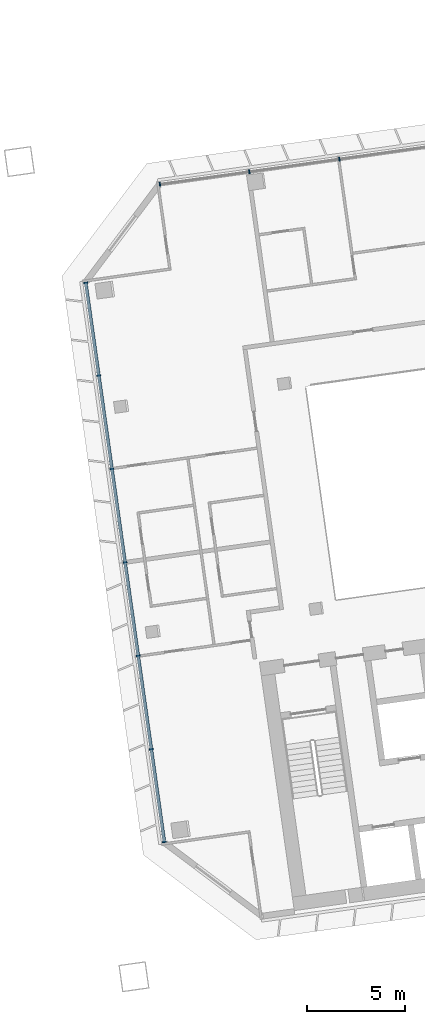
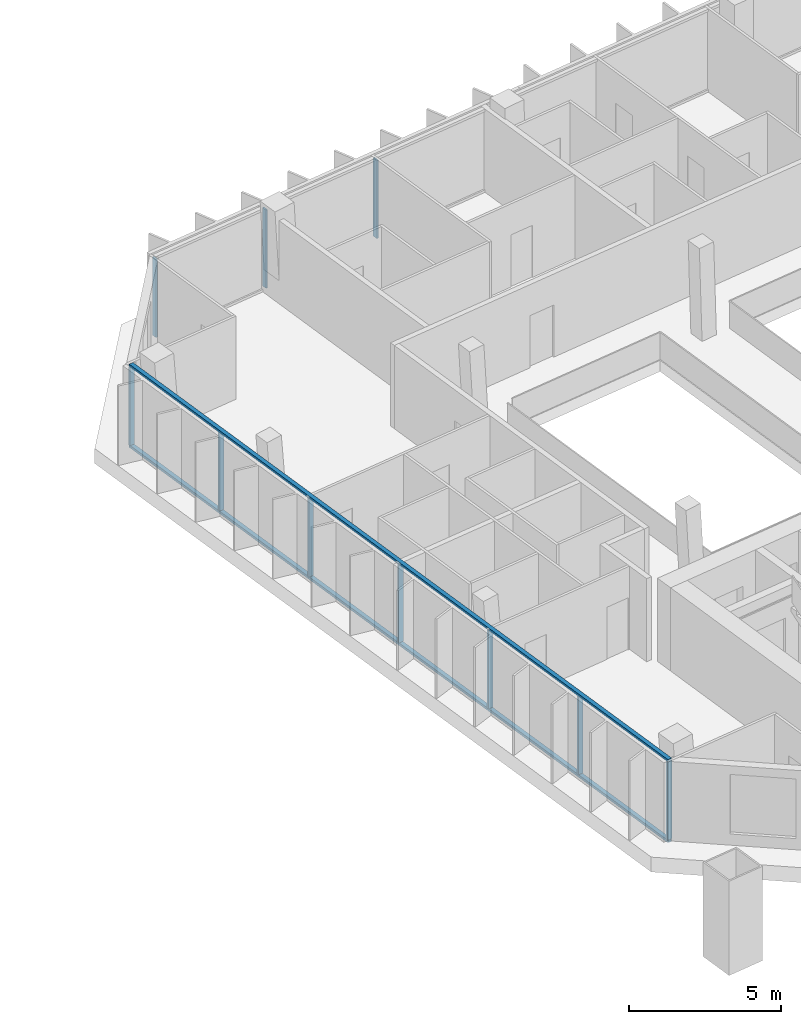
# One storey, part 7 of 23: 12 members, 2 elements without a shape of their own.
"""IFC4 building model written with IfcOpenShell, lengths in metres."""

from ifc_helpers import new_model, si_unit, direction, frame, origin, origin_2d, place, context, subcontext, project, spatial, rectangle, extrude, material, material_profile, profile_set, type_object, element, aggregate, save


model = new_model("IFC4")

# Units and contexts
model_context = context("Model", 3, precision=1e-05, world=origin(), true_north=direction((0.0, 1.0)))
body_context = subcontext(model_context, "Body", "Model", "MODEL_VIEW")
ifc_project = project(units=[si_unit("LENGTHUNIT", "METRE"), si_unit("AREAUNIT", "SQUARE_METRE"), si_unit("VOLUMEUNIT", "CUBIC_METRE"), si_unit("PLANEANGLEUNIT", "RADIAN"), si_unit("MASSUNIT", "GRAM", prefix="KILO")], contexts=[model_context])

# Site, building, storey
site_placement = place(None, origin())
site = spatial("IfcSite", under=ifc_project, at=site_placement, CompositionType="ELEMENT")
building_placement = place(site_placement, origin())
building = spatial("IfcBuilding", under=site, at=building_placement, Name="Mirante Cascada Hotel Towers", CompositionType="ELEMENT")
storey_placement = place(building_placement, frame((0.0, 0.0, 187.8)))
storey = spatial("IfcBuildingStorey", under=building, at=storey_placement, Name="L44", CompositionType="ELEMENT", Elevation=187.8)

# Curtain wall, members
ifc_material_1 = material(Name="Aluminium mullion and transom frame with clear laminated glass", Category="aluminium")
curtain_wall_type_1 = type_object("IfcCurtainWallType", Name="Ribbon curtain wall ECW1", PredefinedType="NOTDEFINED", material=ifc_material_1)
curtain_wall_1_placement = place(storey_placement, origin())
curtain_wall_1 = element("IfcCurtainWall", 1, at=curtain_wall_1_placement, inside=storey, type_object=curtain_wall_type_1, Name="Front ribbon wall T2 L44", PredefinedType="NOTDEFINED")
ifc_material_2 = material(Name="Anodised aluminium extrusion", Category="aluminium")
ifc_material_profile_1 = material_profile(ifc_material_2, rectangle(XDim=0.2, YDim=0.065, at=origin_2d()), Name="ECW1 MULLION 65x200")
ifc_profile_set_1 = profile_set([ifc_material_profile_1], Name="Anodised aluminium extrusion")
member_type_1 = type_object("IfcMemberType", Name="ECW1 mullion 65x200", PredefinedType="MULLION", material=ifc_profile_set_1)
member_1_placement = place(storey_placement, frame((39.5721, 18.3805, 0.1), z_axis=(0.0, 0.0, 1.0), x_axis=(0.1391731, -0.9902681, 0.0)))
member_1 = element("IfcMember", 2, at=member_1_placement, type_object=member_type_1, Name="ECW1 mullion 9", PredefinedType="MULLION", context=body_context, shape_type="SweptSolid", body=[
    extrude(rectangle(XDim=0.2, YDim=0.065, at=origin_2d()), origin(), (0.0, 0.0, 1.0), 3.15),
])
member_2_placement = place(storey_placement, frame((34.977, 17.7347, 0.1), z_axis=(0.0, 0.0, 1.0), x_axis=(0.1391731, -0.9902681, 0.0)))
member_2 = element("IfcMember", 3, at=member_2_placement, type_object=member_type_1, Name="ECW1 mullion 10", PredefinedType="MULLION", context=body_context, shape_type="SweptSolid", body=[
    extrude(rectangle(XDim=0.2, YDim=0.065, at=origin_2d()), origin(), (0.0, 0.0, 1.0), 3.15),
])
member_3_placement = place(storey_placement, frame((30.414, 17.0934, 0.1), z_axis=(0.0, 0.0, 1.0), x_axis=(0.1391731, -0.9902681, 0.0)))
member_3 = element("IfcMember", 4, at=member_3_placement, type_object=member_type_1, Name="ECW1 mullion 11", PredefinedType="MULLION", context=body_context, shape_type="SweptSolid", body=[
    extrude(rectangle(XDim=0.2, YDim=0.065, at=origin_2d()), origin(), (0.0, 0.0, 1.0), 3.15),
])
aggregate(curtain_wall_1, [member_1, member_2, member_3])

ifc_material_3 = material(Name="Aluminium mullion and transom frame with clear laminated glass", Category="aluminium")
curtain_wall_type_2 = type_object("IfcCurtainWallType", Name="End ribbon curtain wall ECW2", PredefinedType="NOTDEFINED", material=ifc_material_3)
curtain_wall_2_placement = place(storey_placement, origin())
curtain_wall_2 = element("IfcCurtainWall", 5, at=curtain_wall_2_placement, inside=storey, type_object=curtain_wall_type_2, Name="Inner end wall T2 L44", PredefinedType="NOTDEFINED")
ifc_material_4 = material(Name="Anodised aluminium extrusion", Category="aluminium")
ifc_material_profile_2 = material_profile(ifc_material_4, rectangle(XDim=0.2, YDim=0.065, at=origin_2d()), Name="ECW2 MULLION 65x200")
ifc_profile_set_2 = profile_set([ifc_material_profile_2], Name="Anodised aluminium extrusion")
member_type_2 = type_object("IfcMemberType", Name="ECW2 mullion 65x200", PredefinedType="MULLION", material=ifc_profile_set_2)
member_4_placement = place(storey_placement, frame((26.6312, 12.0735, 0.1), z_axis=(0.0, 0.0, 1.0), x_axis=(0.9902681, 0.1391731, 0.0)))
member_4 = element("IfcMember", 6, at=member_4_placement, type_object=member_type_2, Name="ECW2 mullion 1", PredefinedType="MULLION", context=body_context, shape_type="SweptSolid", body=[
    extrude(rectangle(XDim=0.2, YDim=0.065, at=origin_2d()), origin(), (0.0, 0.0, 1.0), 3.15),
])
member_5_placement = place(storey_placement, frame((27.2965, 7.3399, 0.1), z_axis=(0.0, 0.0, 1.0), x_axis=(0.9902681, 0.1391731, 0.0)))
member_5 = element("IfcMember", 7, at=member_5_placement, type_object=member_type_2, Name="ECW2 mullion 2", PredefinedType="MULLION", context=body_context, shape_type="SweptSolid", body=[
    extrude(rectangle(XDim=0.2, YDim=0.065, at=origin_2d()), origin(), (0.0, 0.0, 1.0), 3.15),
])
member_6_placement = place(storey_placement, frame((27.9663, 2.5741, 0.1), z_axis=(0.0, 0.0, 1.0), x_axis=(0.9902681, 0.1391731, 0.0)))
member_6 = element("IfcMember", 8, at=member_6_placement, type_object=member_type_2, Name="ECW2 mullion 3", PredefinedType="MULLION", context=body_context, shape_type="SweptSolid", body=[
    extrude(rectangle(XDim=0.2, YDim=0.065, at=origin_2d()), origin(), (0.0, 0.0, 1.0), 3.15),
])
member_7_placement = place(storey_placement, frame((28.6361, -2.1917, 0.1), z_axis=(0.0, 0.0, 1.0), x_axis=(0.9902681, 0.1391731, 0.0)))
member_7 = element("IfcMember", 9, at=member_7_placement, type_object=member_type_2, Name="ECW2 mullion 4", PredefinedType="MULLION", context=body_context, shape_type="SweptSolid", body=[
    extrude(rectangle(XDim=0.2, YDim=0.065, at=origin_2d()), origin(), (0.0, 0.0, 1.0), 3.15),
])
member_8_placement = place(storey_placement, frame((29.3058, -6.9575, 0.1), z_axis=(0.0, 0.0, 1.0), x_axis=(0.9902681, 0.1391731, 0.0)))
member_8 = element("IfcMember", 10, at=member_8_placement, type_object=member_type_2, Name="ECW2 mullion 5", PredefinedType="MULLION", context=body_context, shape_type="SweptSolid", body=[
    extrude(rectangle(XDim=0.2, YDim=0.065, at=origin_2d()), origin(), (0.0, 0.0, 1.0), 3.15),
])
member_9_placement = place(storey_placement, frame((29.9756, -11.7233, 0.1), z_axis=(0.0, 0.0, 1.0), x_axis=(0.9902681, 0.1391731, 0.0)))
member_9 = element("IfcMember", 11, at=member_9_placement, type_object=member_type_2, Name="ECW2 mullion 6", PredefinedType="MULLION", context=body_context, shape_type="SweptSolid", body=[
    extrude(rectangle(XDim=0.2, YDim=0.065, at=origin_2d()), origin(), (0.0, 0.0, 1.0), 3.15),
])
member_10_placement = place(storey_placement, frame((30.6409, -16.4569, 0.1), z_axis=(0.0, 0.0, 1.0), x_axis=(0.9902681, 0.1391731, 0.0)))
member_10 = element("IfcMember", 12, at=member_10_placement, type_object=member_type_2, Name="ECW2 mullion 7", PredefinedType="MULLION", context=body_context, shape_type="SweptSolid", body=[
    extrude(rectangle(XDim=0.2, YDim=0.065, at=origin_2d()), origin(), (0.0, 0.0, 1.0), 3.15),
])
ifc_material_5 = material(Name="Anodised aluminium extrusion", Category="aluminium")
ifc_material_profile_3 = material_profile(ifc_material_5, rectangle(XDim=0.16, YDim=0.1, at=origin_2d()), Name="ECW2 TRANSOM 100x160")
ifc_profile_set_3 = profile_set([ifc_material_profile_3], Name="Anodised aluminium extrusion")
member_type_3 = type_object("IfcMemberType", Name="ECW2 transom 100x160", PredefinedType="USERDEFINED", material=ifc_profile_set_3)
member_11_placement = place(storey_placement, frame((26.6267, 12.1057, 0.05), z_axis=(0.1391723, -0.9902682, 0.0), x_axis=(0.9902682, 0.1391723, 0.0)))
member_11 = element("IfcMember", 13, at=member_11_placement, type_object=member_type_3, Name="ECW2 sill transom", ObjectType="TRANSOM", PredefinedType="USERDEFINED", context=body_context, shape_type="SweptSolid", body=[
    extrude(rectangle(XDim=0.16, YDim=0.1, at=origin_2d()), origin(), (0.0, 0.0, 1.0), 28.8757),
])
member_12_placement = place(storey_placement, frame((26.6267, 12.1057, 3.3), z_axis=(0.1391723, -0.9902682, 0.0), x_axis=(0.9902682, 0.1391723, 0.0)))
member_12 = element("IfcMember", 14, at=member_12_placement, type_object=member_type_3, Name="ECW2 head transom", ObjectType="TRANSOM", PredefinedType="USERDEFINED", context=body_context, shape_type="SweptSolid", body=[
    extrude(rectangle(XDim=0.16, YDim=0.1, at=origin_2d()), origin(), (0.0, 0.0, 1.0), 28.8757),
])
aggregate(curtain_wall_2, [member_11, member_12, member_4, member_5, member_6, member_7, member_8, member_9, member_10])

save(model, "model.ifc")
